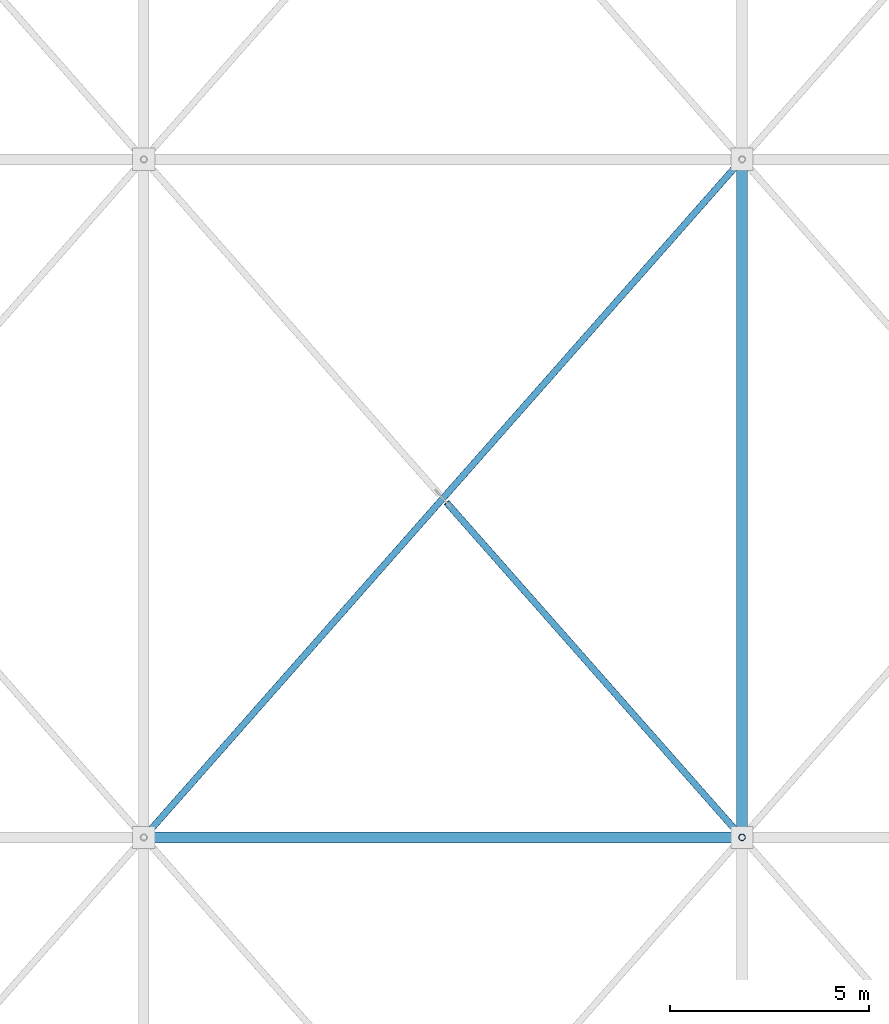
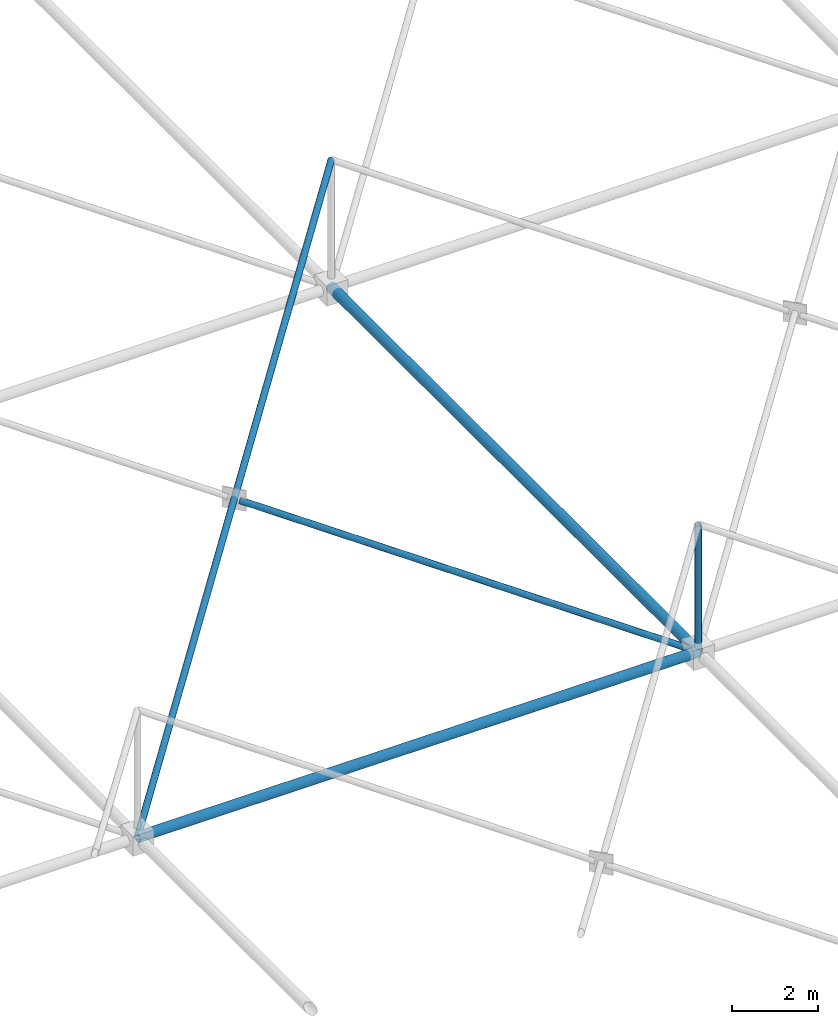
# One storey, part 40 of 224: 5 members.
"""IFC4 building model written with IfcOpenShell, lengths in metres."""

import ifcopenshell
import ifcopenshell.guid

model = None  # the IFC model being written
_history = None  # IfcOwnerHistory: only IFC2X3 demands one
_inside = {}  # id of a spatial element -> (the spatial element, [elements in it])
_under = {}  # id of a project, library or spatial element -> (it, [spatial elements below it])
_declared = {}  # id of a project -> (the project, [libraries it declares])
_typed = {}  # id of a type object -> (the type object, [elements of that type])
_made_of = {}  # id of a material, layer set ... -> (it, [elements and type objects made of it])


def new_model(schema):
    """Start an empty IFC model of exactly this schema.

    Asked for "IFC4X3", IfcOpenShell would pick the latest addendum, in which some entities
    have other attributes; the version numbers below select the first issue.
    IFC2X3 requires an IfcOwnerHistory on every rooted entity: one is made here for all.
    """
    global model, _history
    if schema == "IFC4X3":
        model = ifcopenshell.file(schema_version=(4, 3, 0, 0))
    else:
        model = ifcopenshell.file(schema=schema)
    _inside.clear()
    _under.clear()
    _declared.clear()
    _typed.clear()
    _made_of.clear()
    _history = None
    if model.schema == "IFC2X3":
        org = make("IfcOrganization", Name="unknown")
        user = make(
            "IfcPersonAndOrganization",
            ThePerson=make("IfcPerson", FamilyName="unknown"),
            TheOrganization=org,
        )
        app = make(
            "IfcApplication",
            ApplicationDeveloper=org,
            Version="unknown",
            ApplicationFullName="unknown",
            ApplicationIdentifier="unknown",
        )
        _history = make(
            "IfcOwnerHistory",
            OwningUser=user,
            OwningApplication=app,
            ChangeAction="ADDED",
            CreationDate=0,
        )
    return model


def make(cls, **values):
    """One entity of the class cls with the attributes given. An attribute that is None is left unset."""
    return model.create_entity(
        cls, **{name: value for name, value in values.items() if value is not None}
    )


def rooted(cls, **values):
    """An entity with a GlobalId (a new one), such as an element, a storey or a relation."""
    return make(cls, GlobalId=ifcopenshell.guid.new(), OwnerHistory=_history, **values)


def si_unit(unit_type, name, prefix=None):
    """IfcSIUnit, for example si_unit("LENGTHUNIT", "METRE", prefix="MILLI")."""
    return make("IfcSIUnit", UnitType=unit_type, Prefix=prefix, Name=name)


def assignment(units):
    """IfcUnitAssignment: the units of a project."""
    return None if units is None else make("IfcUnitAssignment", Units=units)


def point(xyz):
    """IfcCartesianPoint."""
    return None if xyz is None else make("IfcCartesianPoint", Coordinates=xyz)


def direction(xyz):
    """IfcDirection."""
    return None if xyz is None else make("IfcDirection", DirectionRatios=xyz)


def frame(location, z_axis=None, x_axis=None):
    """IfcAxis2Placement3D, a coordinate frame: its origin and axes. An axis left out is left unset."""
    return make(
        "IfcAxis2Placement3D",
        Location=point(location),
        Axis=direction(z_axis),
        RefDirection=direction(x_axis),
    )


def frame_2d(location, x_axis=None):
    """IfcAxis2Placement2D, a coordinate frame in the plane: its origin and x axis."""
    return make(
        "IfcAxis2Placement2D", Location=point(location), RefDirection=direction(x_axis)
    )


def origin():
    """The frame at (0, 0, 0) with its axes left unset."""
    return frame((0.0, 0.0, 0.0))


def origin_2d():
    """The frame at (0, 0) in the plane with its x axis left unset."""
    return frame_2d((0.0, 0.0))


def place(relative_to, where):
    """IfcLocalPlacement: puts the frame where relative to a parent placement (None: the world)."""
    return make(
        "IfcLocalPlacement", PlacementRelTo=relative_to, RelativePlacement=where
    )


def context(
    kind, dimensions, precision=None, world=None, true_north=None, identifier=None
):
    """IfcGeometricRepresentationContext, for example the 3D "Model" context."""
    return make(
        "IfcGeometricRepresentationContext",
        ContextIdentifier=identifier,
        ContextType=kind,
        CoordinateSpaceDimension=dimensions,
        Precision=precision,
        WorldCoordinateSystem=world,
        TrueNorth=true_north,
    )


def subcontext(parent, identifier, kind, view, scale=None):
    """IfcGeometricRepresentationSubContext, for example "Body" below "Model"."""
    return make(
        "IfcGeometricRepresentationSubContext",
        ContextIdentifier=identifier,
        ContextType=kind,
        ParentContext=parent,
        TargetScale=scale,
        TargetView=view,
    )


def project(units=None, contexts=None):
    """IfcProject with its units and contexts."""
    return rooted(
        "IfcProject",
        Name="project",
        RepresentationContexts=contexts,
        UnitsInContext=assignment(units),
    )


def spatial(cls, under=None, at=None, **own):
    """A site, building, storey or space (cls), placed at a placement, below another one or the project."""
    s = rooted(cls, ObjectPlacement=at, **own)
    if under is not None:
        _under.setdefault(under.id(), (under, []))[1].append(s)
    return s


def profile(cls, at=None, kind="AREA", **sizes):
    """A parametric profile (cls). Its sizes go by their IFC names, for example OverallWidth=200.0."""
    return make(cls, ProfileType=kind, Position=at, **sizes)


def hollow_circle(**sizes):
    """IfcCircleHollowProfileDef."""
    return profile("IfcCircleHollowProfileDef", **sizes)


def extrude(swept, where, along, depth):
    """IfcExtrudedAreaSolid: the profile swept, set in the frame where, extruded along a direction by depth."""
    return make(
        "IfcExtrudedAreaSolid",
        SweptArea=swept,
        Position=where,
        ExtrudedDirection=direction(along),
        Depth=depth,
    )


def shape(context_of_items, identifier, shape_type, items):
    """IfcShapeRepresentation: the items that make up one representation, for example the "Body"."""
    return make(
        "IfcShapeRepresentation",
        ContextOfItems=context_of_items,
        RepresentationIdentifier=identifier,
        RepresentationType=shape_type,
        Items=items,
    )


def material(Name=None, Category=None):
    """IfcMaterial."""
    return make("IfcMaterial", Name=Name, Category=Category)


def material_profile(
    of_material, cross_section, Name=None, Category=None, Priority=None
):
    """IfcMaterialProfile: a cross section and its material."""
    return make(
        "IfcMaterialProfile",
        Name=Name,
        Material=of_material,
        Profile=cross_section,
        Priority=Priority,
        Category=Category,
    )


def profile_set(profiles, Name=None, composite=None):
    """IfcMaterialProfileSet."""
    return make(
        "IfcMaterialProfileSet",
        Name=Name,
        MaterialProfiles=profiles,
        CompositeProfile=composite,
    )


def made_of(thing, what):
    """Note that an element or type object is made of a material, layer set ...; save() writes the relation."""
    if what is not None:
        _made_of.setdefault(what.id(), (what, []))[1].append(thing)
    return thing


def type_object(cls, material=None, **own):
    """A type object (cls), such as IfcWallType, which elements share."""
    return made_of(rooted(cls, **own), material)


def element(
    cls,
    number,
    at=None,
    inside=None,
    cuts=None,
    type_object=None,
    material=None,
    context=None,
    identifier="Body",
    shape_type=None,
    held_by="IfcProductDefinitionShape",
    body=None,
    shapes=None,
    **own,
):
    """One element of the class cls, such as IfcWall. Its Tag is "e" and its number.

    at: its placement. inside: the storey or other place that contains it. cuts: it is an
    opening in that element (IfcRelVoidsElement). A single representation is given by context,
    identifier, shape_type and body (its items); several are given by shapes. held_by: the class
    of the entity that holds the representations. save() writes the other relations.
    """
    e = rooted(cls, Tag="e%d" % number, ObjectPlacement=at, **own)
    if body is not None:
        shapes = [shape(context, identifier, shape_type, body)]
    if shapes is not None:
        e.Representation = make(held_by, Representations=shapes)
    if inside is not None:
        _inside.setdefault(inside.id(), (inside, []))[1].append(e)
    if cuts is not None:
        rooted(
            "IfcRelVoidsElement", RelatingBuildingElement=cuts, RelatedOpeningElement=e
        )
    if type_object is not None:
        _typed.setdefault(type_object.id(), (type_object, []))[1].append(e)
    return made_of(e, material)


def aggregate(whole, parts):
    """IfcRelAggregates: a whole, such as a stair, and the parts it consists of."""
    return rooted("IfcRelAggregates", RelatingObject=whole, RelatedObjects=parts)


def save(model, path):
    """Write the relations noted so far, then the file.

    IfcRelAggregates (storeys below a building ...), IfcRelContainedInSpatialStructure (elements
    in a storey), IfcRelDefinesByType, IfcRelAssociatesMaterial and IfcRelDeclares: one each for
    every whole, place, type object, material and project.
    """
    for whole, parts in _under.values():
        aggregate(whole, parts)
    for where, things in _inside.values():
        rooted(
            "IfcRelContainedInSpatialStructure",
            RelatedElements=things,
            RelatingStructure=where,
        )
    for kind, things in _typed.values():
        rooted("IfcRelDefinesByType", RelatedObjects=things, RelatingType=kind)
    for what, things in _made_of.values():
        rooted("IfcRelAssociatesMaterial", RelatedObjects=things, RelatingMaterial=what)
    for by, libraries in _declared.values():
        rooted("IfcRelDeclares", RelatingContext=by, RelatedDefinitions=libraries)
    model.write(path)


model = new_model("IFC4")

# Units and contexts
model_context = context("Model", 3, precision=1e-05, world=origin(), true_north=direction((0.0, 1.0)))
body_context = subcontext(model_context, "Body", "Model", "MODEL_VIEW")
ifc_project = project(units=[si_unit("LENGTHUNIT", "METRE"), si_unit("AREAUNIT", "SQUARE_METRE"), si_unit("VOLUMEUNIT", "CUBIC_METRE"), si_unit("PLANEANGLEUNIT", "RADIAN"), si_unit("MASSUNIT", "GRAM", prefix="KILO")], contexts=[model_context])

# Site, building, storey
site_placement = place(None, origin())
site = spatial("IfcSite", under=ifc_project, at=site_placement, CompositionType="ELEMENT")
building_placement = place(site_placement, origin())
building = spatial("IfcBuilding", under=site, at=building_placement, Name="Qamarlyn Nura Convention Centre", CompositionType="ELEMENT")
storey_placement = place(building_placement, frame((0.0, 0.0, 10.800048828125)))
storey = spatial("IfcBuildingStorey", under=building, at=storey_placement, Name="L02", CompositionType="ELEMENT", Elevation=10.800048828125)

# Members
ifc_material = material(Name="Pearl-white PVDF steel ASTM A500 Grade C", Category="steel")
ifc_material_profile_1 = material_profile(ifc_material, hollow_circle(Radius=0.136474609375, WallThickness=0.012451171875, at=origin_2d()), Name="CHS273X12.5")
ifc_profile_set_1 = profile_set([ifc_material_profile_1], Name="Pearl-white PVDF steel ASTM A500 Grade C")
member_type_1 = type_object("IfcMemberType", Name="SF-BC-MAIN", PredefinedType="CHORD", material=ifc_profile_set_1)
member_1_placement = place(storey_placement, frame((30.0, 52.0, 0.800048828125), z_axis=(1.0, 0.0, 0.0), x_axis=(0.0, 1.0, 0.0)))
element("IfcMember", 1, at=member_1_placement, inside=storey, type_object=member_type_1, Name="ROOF TRUSS space frame bottom chord X4-4", PredefinedType="CHORD", context=body_context, shape_type="SweptSolid", body=[
    extrude(hollow_circle(Radius=0.136474609375, WallThickness=0.012451171875, at=origin_2d()), origin(), (0.0, 0.0, 1.0), 15.0),
])
member_2_placement = place(storey_placement, frame((45.0, 52.0, 0.800048828125), z_axis=(0.0, 1.0, 0.0), x_axis=(-1.0, 0.0, 0.0)))
element("IfcMember", 2, at=member_2_placement, inside=storey, type_object=member_type_1, Name="ROOF TRUSS space frame bottom chord Y5-4", PredefinedType="CHORD", context=body_context, shape_type="SweptSolid", body=[
    extrude(hollow_circle(Radius=0.136474609375, WallThickness=0.012451171875, at=origin_2d()), origin(), (0.0, 0.0, 1.0), 17.0),
])
ifc_material_profile_2 = material_profile(ifc_material, hollow_circle(Radius=0.084228515625, WallThickness=0.008056640625, at=origin_2d()), Name="CHS168.3X8")
ifc_profile_set_2 = profile_set([ifc_material_profile_2], Name="Pearl-white PVDF steel ASTM A500 Grade C")
member_type_2 = type_object("IfcMemberType", Name="SF-WEB-STD", PredefinedType="BRACE", material=ifc_profile_set_2)
member_3_placement = place(storey_placement, frame((30.0, 52.0, 0.800048828125), z_axis=(0.653435715467, 0.74056047753, 0.156818190504), x_axis=(-0.749837855365, 0.661621637087, 0.0)))
element("IfcMember", 3, at=member_3_placement, inside=storey, type_object=member_type_2, Name="ROOF TRUSS space frame diagonal A 4-4", PredefinedType="BRACE", context=body_context, shape_type="SweptSolid", body=[
    extrude(hollow_circle(Radius=0.084228515625, WallThickness=0.008056640625, at=origin_2d()), origin(), (0.0, 0.0, 1.0), 22.95556640625),
])
member_4_placement = place(storey_placement, frame((45.0, 52.0, 0.800048828125), z_axis=(-0.653436826791, 0.740561737029, 0.156807611557), x_axis=(-0.749837855365, -0.661621637087, 0.0)))
element("IfcMember", 4, at=member_4_placement, inside=storey, type_object=member_type_2, Name="ROOF TRUSS space frame split diagonal B1 4-4", PredefinedType="BRACE", context=body_context, shape_type="SweptSolid", body=[
    extrude(hollow_circle(Radius=0.084228515625, WallThickness=0.008056640625, at=origin_2d()), origin(), (0.0, 0.0, 1.0), 11.337646484375),
])
member_5_placement = place(storey_placement, frame((45.0, 52.0, 0.800048828125), z_axis=(0.0, 0.0, 1.0), x_axis=(1.0, 0.0, 0.0)))
element("IfcMember", 5, at=member_5_placement, inside=storey, type_object=member_type_2, Name="ROOF TRUSS space frame vertical 5-4", PredefinedType="BRACE", context=body_context, shape_type="SweptSolid", body=[
    extrude(hollow_circle(Radius=0.084228515625, WallThickness=0.008056640625, at=origin_2d()), origin(), (0.0, 0.0, 1.0), 3.599853515625),
])

save(model, "model.ifc")
